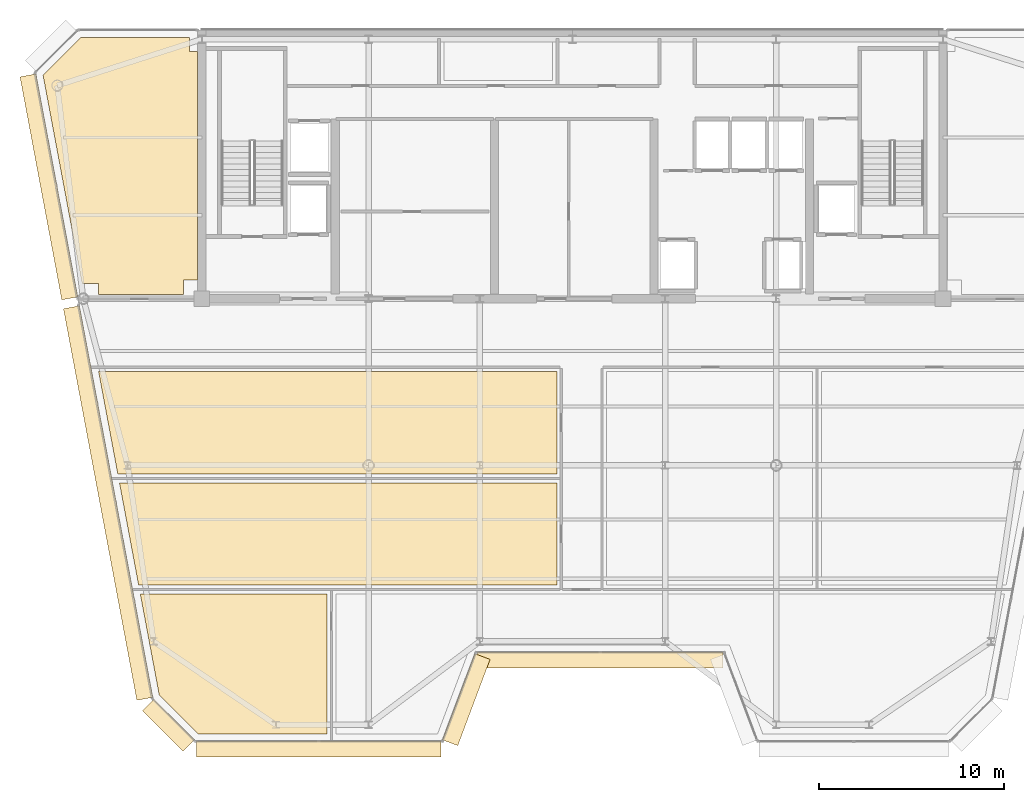
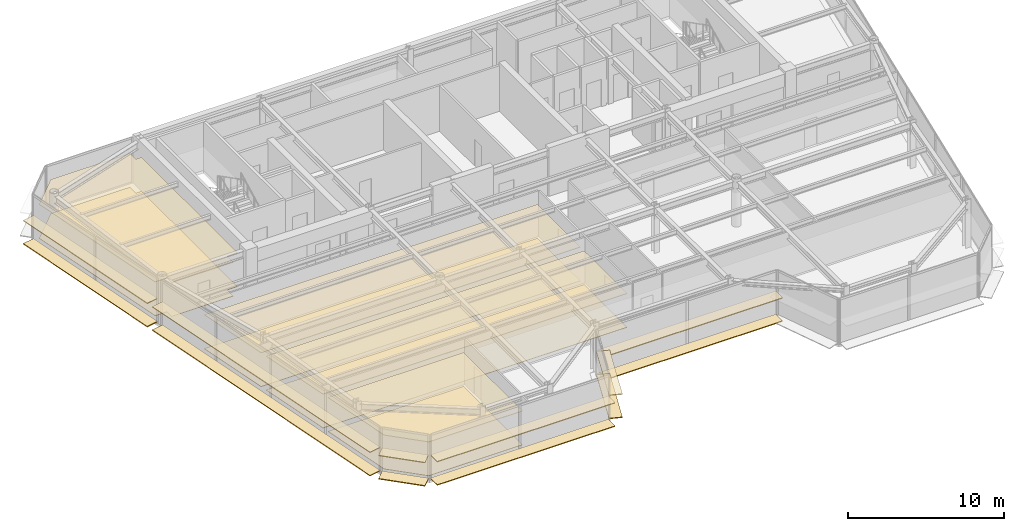
# One storey, part 13 of 19: 20 coverings.
"""IFC4 building model written with IfcOpenShell, lengths in metres."""

from ifc_helpers import new_model, si_unit, direction, frame, origin, origin_2d, place, context, subcontext, project, spatial, polyline, rectangle, outline, extrude, source, transform, mapped, material, layer, layer_set, type_object, element, save


model = new_model("IFC4")

# Units and contexts
model_context = context("Model", 3, precision=1e-05, world=origin(), true_north=direction((0.0, 1.0)))
body_context = subcontext(model_context, "Body", "Model", "MODEL_VIEW")
ifc_project = project(units=[si_unit("LENGTHUNIT", "METRE"), si_unit("AREAUNIT", "SQUARE_METRE"), si_unit("VOLUMEUNIT", "CUBIC_METRE"), si_unit("PLANEANGLEUNIT", "RADIAN"), si_unit("MASSUNIT", "GRAM", prefix="KILO")], contexts=[model_context])

# Site, building, storey
site_placement = place(None, origin())
site = spatial("IfcSite", under=ifc_project, at=site_placement, CompositionType="ELEMENT")
building_placement = place(site_placement, origin())
building = spatial("IfcBuilding", under=site, at=building_placement, Name="Vaeldorn Concourse Tower", CompositionType="ELEMENT")
storey_placement = place(building_placement, frame((0.0, 0.0, 272.60009765625)))
storey = spatial("IfcBuildingStorey", under=building, at=storey_placement, Name="L70", CompositionType="ELEMENT", Elevation=272.60009765625)

# Coverings
ifc_material_1 = material(Name="Acoustic Mineral Fibre Board", Category="gypsum")
ifc_layer_1 = layer(ifc_material_1, 0.0400390625)
ifc_layer_set_1 = layer_set([ifc_layer_1], Name="Acoustic Mineral Fibre Board")
covering_type_1 = type_object("IfcCoveringType", Name="COV-CEIL-ACOUSTIC", PredefinedType="CEILING", material=ifc_layer_set_1)
covering_1_placement = place(storey_placement, frame((0.0, 0.0, 2.64990234375)))
element("IfcCovering", 1, at=covering_1_placement, inside=storey, type_object=covering_type_1, Name="Suspended Acoustic Ceiling L70-3", PredefinedType="CEILING", context=body_context, shape_type="SweptSolid", body=[
    extrude(outline(polyline([(7.4658203125, 50.60009765625), (13.340087890625, 50.60009765625), (13.340087890625, 49.840087890625), (13.760009765625, 49.840087890625), (13.760009765625, 37.5), (13.0, 37.5), (13.0, 36.719970703125), (8.419921875, 36.719970703125), (8.419921875, 37.320068359375), (7.540283203125, 37.320068359375), (5.431884765625, 48.56640625), (7.4658203125, 50.60009765625)])), origin(), (0.0, 0.0, 1.0), 0.0400390625),
])
covering_2_placement = place(storey_placement, frame((0.0, 0.0, 2.64990234375)))
element("IfcCovering", 2, at=covering_2_placement, inside=storey, type_object=covering_type_1, Name="Suspended Acoustic Ceiling L70-5", PredefinedType="CEILING", context=body_context, shape_type="SweptSolid", body=[
    extrude(outline(polyline([(20.760009765625, 20.56005859375), (20.760009765625, 13.0), (13.8017578125, 13.0), (11.706298828125, 15.09521484375), (11.687255859375, 15.197509765625), (10.681884765625, 20.56005859375), (20.760009765625, 20.56005859375)])), origin(), (0.0, 0.0, 1.0), 0.0400390625),
])
covering_3_placement = place(storey_placement, frame((0.0, 0.0, 2.64990234375)))
element("IfcCovering", 3, at=covering_3_placement, inside=storey, type_object=covering_type_1, Name="Suspended Acoustic Ceiling L70-7", PredefinedType="CEILING", context=body_context, shape_type="SweptSolid", body=[
    extrude(outline(polyline([(33.159912109375, 26.56005859375), (33.159912109375, 21.0400390625), (10.592041015625, 21.0400390625), (9.557373046875, 26.56005859375), (33.159912109375, 26.56005859375)])), origin(), (0.0, 0.0, 1.0), 0.0400390625),
])
covering_4_placement = place(storey_placement, frame((0.0, 0.0, 2.64990234375)))
element("IfcCovering", 4, at=covering_4_placement, inside=storey, type_object=covering_type_1, Name="Suspended Acoustic Ceiling L70-8", PredefinedType="CEILING", context=body_context, shape_type="SweptSolid", body=[
    extrude(outline(polyline([(33.159912109375, 32.56005859375), (33.159912109375, 27.0400390625), (9.46728515625, 27.0400390625), (8.4326171875, 32.56005859375), (33.159912109375, 32.56005859375)])), origin(), (0.0, 0.0, 1.0), 0.0400390625),
])
ifc_material_2 = material(Name="Honed Limestone Terrazzo Flooring", Category="masonry")
ifc_layer_2 = layer(ifc_material_2, 0.0400390625)
ifc_layer_set_2 = layer_set([ifc_layer_2], Name="Honed Limestone Terrazzo Flooring")
covering_type_2 = type_object("IfcCoveringType", Name="COV-FLOOR-STONE", PredefinedType="FLOORING", material=ifc_layer_set_2)
covering_5_placement = place(storey_placement, origin())
element("IfcCovering", 5, at=covering_5_placement, inside=storey, type_object=covering_type_2, Name="Floor Finish Covering L70-3", PredefinedType="FLOORING", context=body_context, shape_type="SweptSolid", body=[
    extrude(outline(polyline([(7.4658203125, 50.60009765625), (13.340087890625, 50.60009765625), (13.340087890625, 49.840087890625), (13.760009765625, 49.840087890625), (13.760009765625, 37.5), (13.0, 37.5), (13.0, 36.719970703125), (8.419921875, 36.719970703125), (8.419921875, 37.320068359375), (7.540283203125, 37.320068359375), (5.431884765625, 48.56640625), (7.4658203125, 50.60009765625)])), origin(), (0.0, 0.0, 1.0), 0.02978515625),
])
covering_6_placement = place(storey_placement, origin())
element("IfcCovering", 6, at=covering_6_placement, inside=storey, type_object=covering_type_2, Name="Floor Finish Covering L70-5", PredefinedType="FLOORING", context=body_context, shape_type="SweptSolid", body=[
    extrude(outline(polyline([(20.760009765625, 20.56005859375), (20.760009765625, 13.0), (13.8017578125, 13.0), (11.706298828125, 15.09521484375), (11.687255859375, 15.197509765625), (10.681884765625, 20.56005859375), (20.760009765625, 20.56005859375)])), origin(), (0.0, 0.0, 1.0), 0.02978515625),
])
covering_7_placement = place(storey_placement, origin())
element("IfcCovering", 7, at=covering_7_placement, inside=storey, type_object=covering_type_2, Name="Floor Finish Covering L70-7", PredefinedType="FLOORING", context=body_context, shape_type="SweptSolid", body=[
    extrude(outline(polyline([(33.159912109375, 26.56005859375), (33.159912109375, 21.0400390625), (10.592041015625, 21.0400390625), (9.557373046875, 26.56005859375), (33.159912109375, 26.56005859375)])), origin(), (0.0, 0.0, 1.0), 0.02978515625),
])
covering_8_placement = place(storey_placement, origin())
element("IfcCovering", 8, at=covering_8_placement, inside=storey, type_object=covering_type_2, Name="Floor Finish Covering L70-8", PredefinedType="FLOORING", context=body_context, shape_type="SweptSolid", body=[
    extrude(outline(polyline([(33.159912109375, 32.56005859375), (33.159912109375, 27.0400390625), (9.46728515625, 27.0400390625), (8.4326171875, 32.56005859375), (33.159912109375, 32.56005859375)])), origin(), (0.0, 0.0, 1.0), 0.02978515625),
])
ifc_material_3 = material(Name="Anodised Bronze Aluminium", Category="aluminium")
ifc_layer_3 = layer(ifc_material_3, 0.06494140625)
ifc_layer_set_3 = layer_set([ifc_layer_3], Name="Anodised Bronze Aluminium")
covering_type_3 = type_object("IfcCoveringType", Name="SD-BRONZE-SUNSHADE", PredefinedType="USERDEFINED", material=ifc_layer_set_3)
shared_shape_1 = source(origin(), body_context, "Body", "SweptSolid", [
    extrude(rectangle(XDim=4.96630859375, YDim=0.8798828125, at=origin_2d()), origin(), (0.0, 0.0, 1.0), 0.06494140625),
])
for number, where, z_axis, x_axis, name in (
    (9, (28.2744140625, 14.859619140625, 0.04736328125), (0.0, 0.0, 1.0), (0.351122702609, 0.936329454686, 0.0), "Horizontal Bronze Sunshade L70-E02.1.1"),
    (10, (28.2744140625, 14.859619140625, 1.867431640625), (0.0, 0.0, 1.0), (0.351122702609, 0.936329454686, 0.0), "Horizontal Bronze Sunshade L70-E02.1.2"),
):
    element("IfcCovering", number, at=place(storey_placement, frame(where, z_axis=z_axis, x_axis=x_axis)), inside=storey, type_object=covering_type_3, Name=name, ObjectType="SUNSHADE", PredefinedType="USERDEFINED", context=body_context, shape_type="MappedRepresentation", body=[
        mapped(shared_shape_1, transform((0.0, 0.0, 0.0), scale=1.0)),
    ])
shared_shape_2 = source(origin(), body_context, "Body", "SweptSolid", [
    extrude(rectangle(XDim=13.239990234375, YDim=0.8798828125, at=origin_2d()), origin(), (0.0, 0.0, 1.0), 0.06494140625),
])
for number, where, z_axis, x_axis, name in (
    (11, (35.5, 17.0, 0.04736328125), (0.0, 0.0, 1.0), (1.0, 0.0, 0.0), "Horizontal Bronze Sunshade L70-E03.1.1"),
    (12, (35.5, 17.0, 1.867431640625), (0.0, 0.0, 1.0), (1.0, 0.0, 0.0), "Horizontal Bronze Sunshade L70-E03.1.2"),
):
    element("IfcCovering", number, at=place(storey_placement, frame(where, z_axis=z_axis, x_axis=x_axis)), inside=storey, type_object=covering_type_3, Name=name, ObjectType="SUNSHADE", PredefinedType="USERDEFINED", context=body_context, shape_type="MappedRepresentation", body=[
        mapped(shared_shape_2, transform((0.0, 0.0, 0.0), scale=1.0)),
    ])
shared_shape_3 = source(origin(), body_context, "Body", "SweptSolid", [
    extrude(rectangle(XDim=3.0927734375, YDim=0.8798828125, at=origin_2d()), origin(), (0.0, 0.0, 1.0), 0.06494140625),
])
for number, where, z_axis, x_axis, name in (
    (13, (12.203125, 13.46728515625, 0.04736328125), (0.0, 0.0, 1.0), (0.707106781187, -0.707106781187, 0.0), "Horizontal Bronze Sunshade L70-E12.1.1"),
    (14, (12.203125, 13.46728515625, 1.867431640625), (0.0, 0.0, 1.0), (0.707106781187, -0.707106781187, 0.0), "Horizontal Bronze Sunshade L70-E12.1.2"),
):
    element("IfcCovering", number, at=place(storey_placement, frame(where, z_axis=z_axis, x_axis=x_axis)), inside=storey, type_object=covering_type_3, Name=name, ObjectType="SUNSHADE", PredefinedType="USERDEFINED", context=body_context, shape_type="MappedRepresentation", body=[
        mapped(shared_shape_3, transform((0.0, 0.0, 0.0), scale=1.0)),
    ])
shared_shape_4 = source(origin(), body_context, "Body", "SweptSolid", [
    extrude(rectangle(XDim=21.49560546875, YDim=0.8798828125, at=origin_2d()), origin(), (0.0, 0.0, 1.0), 0.06494140625),
])
for number, where, z_axis, x_axis, name in (
    (15, (8.94775390625, 25.46875, 0.04736328125), (0.0, 0.0, 1.0), (0.1842429853, -0.98288072642, 0.0), "Horizontal Bronze Sunshade L70-E11.2.1"),
    (16, (8.94775390625, 25.46875, 1.867431640625), (0.0, 0.0, 1.0), (0.1842429853, -0.98288072642, 0.0), "Horizontal Bronze Sunshade L70-E11.2.2"),
):
    element("IfcCovering", number, at=place(storey_placement, frame(where, z_axis=z_axis, x_axis=x_axis)), inside=storey, type_object=covering_type_3, Name=name, ObjectType="SUNSHADE", PredefinedType="USERDEFINED", context=body_context, shape_type="MappedRepresentation", body=[
        mapped(shared_shape_4, transform((0.0, 0.0, 0.0), scale=1.0)),
    ])
shared_shape_5 = source(origin(), body_context, "Body", "SweptSolid", [
    extrude(rectangle(XDim=12.241943359375, YDim=0.8798828125, at=origin_2d()), origin(), (0.0, 0.0, 1.0), 0.06494140625),
])
for number, where, z_axis, x_axis, name in (
    (17, (5.749267578125, 42.531494140625, 0.04736328125), (0.0, 0.0, 1.0), (0.1842429853, -0.98288072642, 0.0), "Horizontal Bronze Sunshade L70-E11.1.1"),
    (18, (5.749267578125, 42.531494140625, 1.867431640625), (0.0, 0.0, 1.0), (0.1842429853, -0.98288072642, 0.0), "Horizontal Bronze Sunshade L70-E11.1.2"),
):
    element("IfcCovering", number, at=place(storey_placement, frame(where, z_axis=z_axis, x_axis=x_axis)), inside=storey, type_object=covering_type_3, Name=name, ObjectType="SUNSHADE", PredefinedType="USERDEFINED", context=body_context, shape_type="MappedRepresentation", body=[
        mapped(shared_shape_5, transform((0.0, 0.0, 0.0), scale=1.0)),
    ])
shared_shape_6 = source(origin(), body_context, "Body", "SweptSolid", [
    extrude(rectangle(XDim=13.2041015625, YDim=0.8798828125, at=origin_2d()), origin(), (0.0, 0.0, 1.0), 0.06494140625),
])
for number, where, z_axis, x_axis, name in (
    (19, (20.318115234375, 12.199951171875, 0.04736328125), (0.0, 0.0, 1.0), (1.0, 0.0, 0.0), "Horizontal Bronze Sunshade L70-E01.1.1"),
    (20, (20.318115234375, 12.199951171875, 1.867431640625), (0.0, 0.0, 1.0), (1.0, 0.0, 0.0), "Horizontal Bronze Sunshade L70-E01.1.2"),
):
    element("IfcCovering", number, at=place(storey_placement, frame(where, z_axis=z_axis, x_axis=x_axis)), inside=storey, type_object=covering_type_3, Name=name, ObjectType="SUNSHADE", PredefinedType="USERDEFINED", context=body_context, shape_type="MappedRepresentation", body=[
        mapped(shared_shape_6, transform((0.0, 0.0, 0.0), scale=1.0)),
    ])

save(model, "model.ifc")
